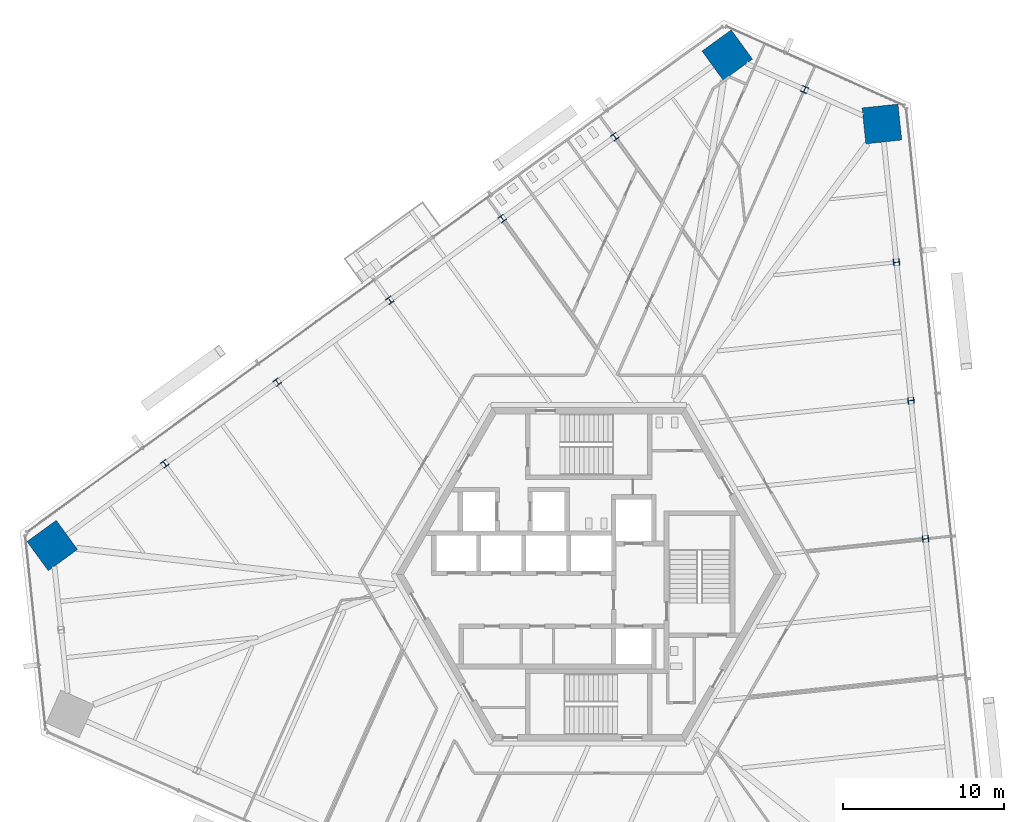
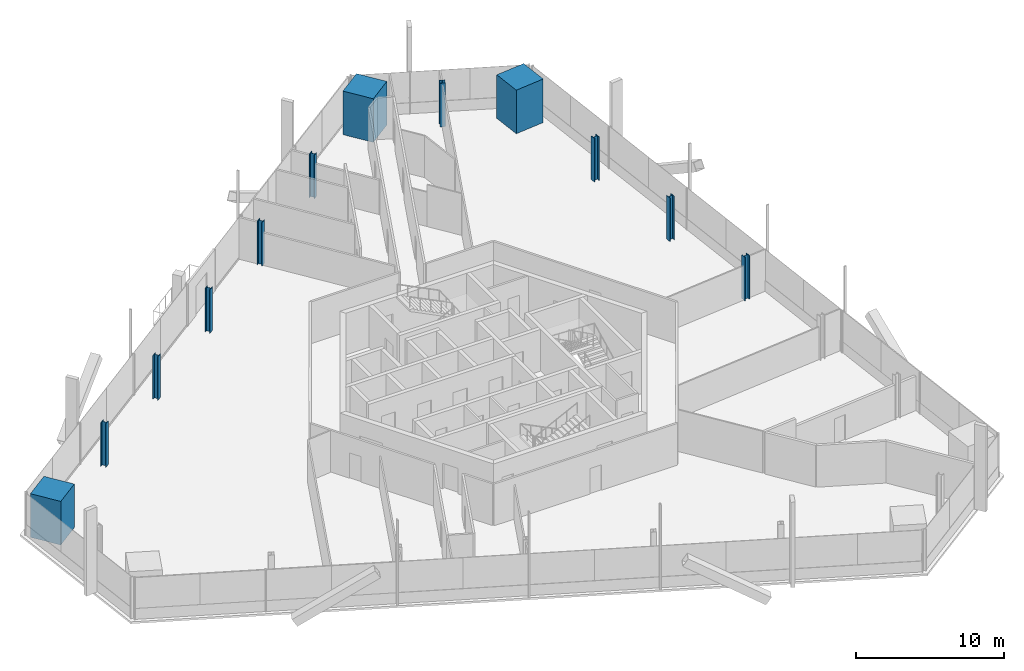
# One storey, part 2 of 21: 12 columns.
"""IFC4 building model written with IfcOpenShell, lengths in metres."""

from ifc_helpers import new_model, si_unit, direction, frame, origin, origin_2d, place, context, subcontext, project, spatial, rectangle, i_section, extrude, source, transform, mapped, material, material_profile, profile_set, type_object, element, save


model = new_model("IFC4")

# Units and contexts
model_context = context("Model", 3, precision=1e-05, world=origin(), true_north=direction((0.0, 1.0)))
body_context = subcontext(model_context, "Body", "Model", "MODEL_VIEW")
ifc_project = project(units=[si_unit("LENGTHUNIT", "METRE"), si_unit("AREAUNIT", "SQUARE_METRE"), si_unit("VOLUMEUNIT", "CUBIC_METRE"), si_unit("PLANEANGLEUNIT", "RADIAN"), si_unit("MASSUNIT", "GRAM", prefix="KILO")], contexts=[model_context])

# Site, building, storey
site_placement = place(None, origin())
site = spatial("IfcSite", under=ifc_project, at=site_placement, CompositionType="ELEMENT")
building_placement = place(site_placement, origin())
building = spatial("IfcBuilding", under=site, at=building_placement, Name="Triune Harvest Tower", CompositionType="ELEMENT")
storey_placement = place(building_placement, frame((0.0, 0.0, 65.699951171875)))
storey = spatial("IfcBuildingStorey", under=building, at=storey_placement, Name="L15", CompositionType="ELEMENT", Elevation=65.699951171875)

# Columns
ifc_material_1 = material(Name="Concrete 70 MPa", Category="concrete")
ifc_material_profile_1 = material_profile(ifc_material_1, rectangle(XDim=2.25, YDim=2.25, at=origin_2d()), Name="Composite 2250x2250")
ifc_profile_set_1 = profile_set([ifc_material_profile_1], Name="Concrete 70 MPa")
column_type_1 = type_object("IfcColumnType", Name="MC-2 Mega column Composite 2250x2250", PredefinedType="COLUMN", material=ifc_profile_set_1)
shared_shape_1 = source(origin(), body_context, "Body", "SweptSolid", [
    extrude(rectangle(XDim=2.25, YDim=2.25, at=origin_2d()), origin(), (0.0, 0.0, 1.0), 3.60009765625),
])
for number, where, z_axis, x_axis, name in (
    (1, (18.2607421875, 28.049072265625, 0.0), (0.0, 0.0, 1.0), (-0.104526727499, 0.994522077803, 0.0), "col/L15/M6"),
    (2, (8.625732421875, 32.3388671875, 0.0), (0.0, 0.0, 1.0), (-0.809016994375, -0.587785252292, 0.0), "col/L15/M8"),
    (3, (-33.42138671875, 1.789794921875, 0.0), (0.0, 0.0, 1.0), (-0.809016994375, -0.587785252292, 0.0), "col/L15/M14"),
):
    element("IfcColumn", number, at=place(storey_placement, frame(where, z_axis=z_axis, x_axis=x_axis)), inside=storey, type_object=column_type_1, Name=name, PredefinedType="COLUMN", context=body_context, shape_type="MappedRepresentation", body=[
        mapped(shared_shape_1, transform((0.0, 0.0, 0.0), scale=1.0)),
    ])
ifc_material_2 = material(Name="Steel ASTM A992 Gr 50", Category="steel")
ifc_material_profile_2 = material_profile(ifc_material_2, i_section(OverallWidth=0.398681640625, OverallDepth=0.393798828125, WebThickness=0.022705078125, FlangeThickness=0.03662109375, at=origin_2d()), Name="W14x193")
ifc_profile_set_2 = profile_set([ifc_material_profile_2], Name="Steel ASTM A992 Gr 50")
column_type_2 = type_object("IfcColumnType", Name="PC-2 Perimeter column W14x193", PredefinedType="COLUMN", material=ifc_profile_set_2)
shared_shape_2 = source(origin(), body_context, "Body", "SweptSolid", [
    extrude(i_section(OverallWidth=0.398681640625, OverallDepth=0.393798828125, WebThickness=0.022705078125, FlangeThickness=0.03662109375, at=origin_2d()), origin(), (0.0, 0.0, 1.0), 3.60009765625),
])
for number, where, z_axis, x_axis, name in (
    (4, (20.97705078125, 2.204833984375, 0.0), (0.0, 0.0, 1.0), (-0.104526727499, 0.994522077803, 0.0), "col/L15/P3"),
    (5, (20.071533203125, 10.819580078125, 0.0), (0.0, 0.0, 1.0), (-0.104526727499, 0.994522077803, 0.0), "col/L15/P4"),
    (6, (19.166015625, 19.434326171875, 0.0), (0.0, 0.0, 1.0), (-0.104526727499, 0.994522077803, 0.0), "col/L15/P5"),
    (7, (13.443115234375, 30.194091796875, 0.0), (0.0, 0.0, 1.0), (-0.913546877416, 0.406733454198, 0.0), "col/L15/P7"),
    (8, (1.617919921875, 27.247314453125, 0.0), (0.0, 0.0, 1.0), (-0.809016994375, -0.587785252292, 0.0), "col/L15/P9"),
    (9, (-5.389892578125, 22.15576171875, 0.0), (0.0, 0.0, 1.0), (-0.809016994375, -0.587785252292, 0.0), "col/L15/P10"),
    (10, (-12.39794921875, 17.064208984375, 0.0), (0.0, 0.0, 1.0), (-0.809016994375, -0.587785252292, 0.0), "col/L15/P11"),
    (11, (-19.40576171875, 11.97265625, 0.0), (0.0, 0.0, 1.0), (-0.809016994375, -0.587785252292, 0.0), "col/L15/P12"),
    (12, (-26.41357421875, 6.881103515625, 0.0), (0.0, 0.0, 1.0), (-0.809016994375, -0.587785252292, 0.0), "col/L15/P13"),
):
    element("IfcColumn", number, at=place(storey_placement, frame(where, z_axis=z_axis, x_axis=x_axis)), inside=storey, type_object=column_type_2, Name=name, PredefinedType="COLUMN", context=body_context, shape_type="MappedRepresentation", body=[
        mapped(shared_shape_2, transform((0.0, 0.0, 0.0), scale=1.0)),
    ])

save(model, "model.ifc")
